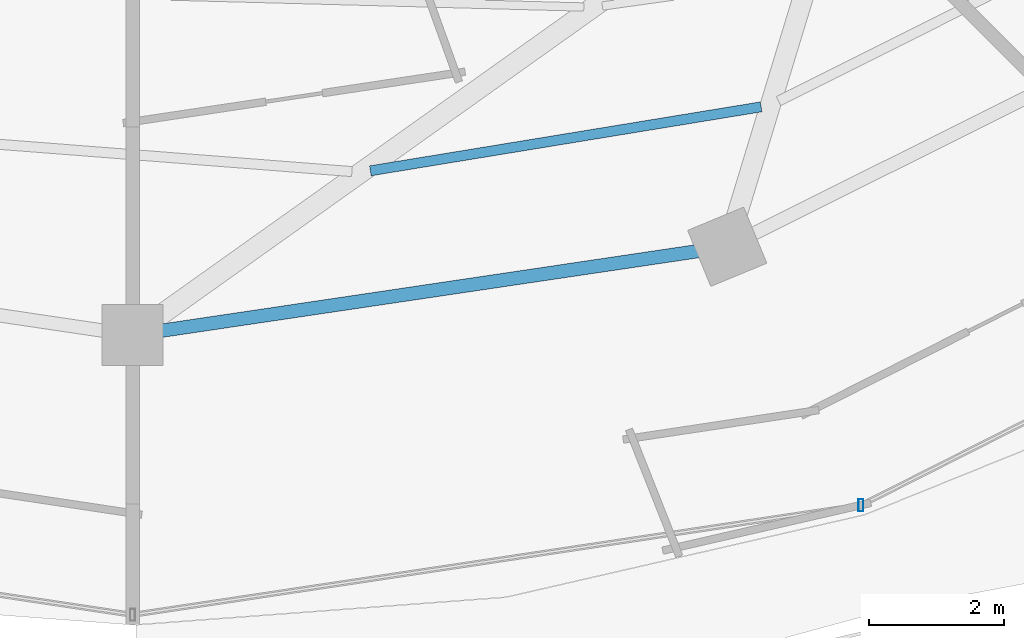
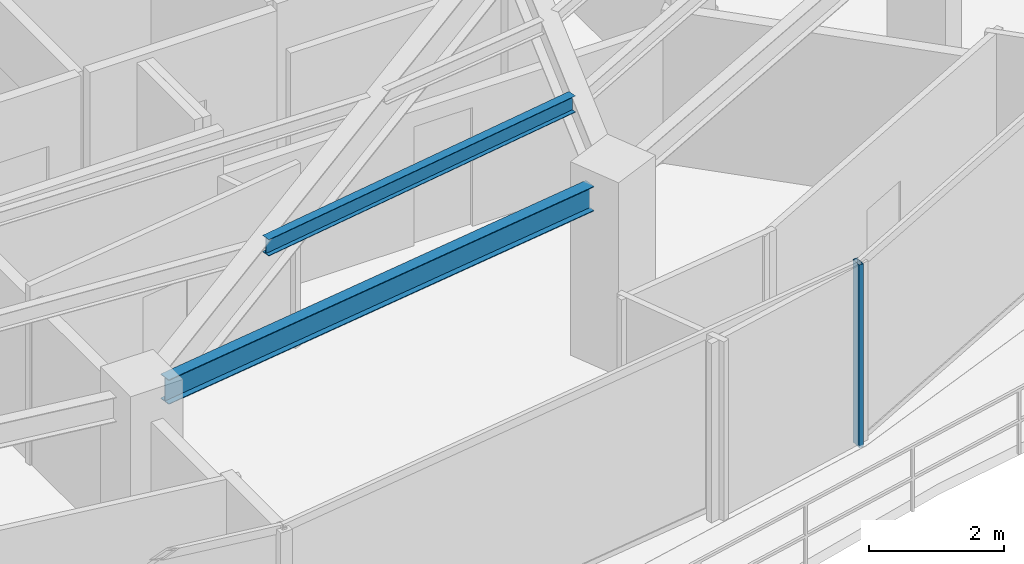
# One storey, part 11 of 31: 2 beams, 1 member, 1 element without a shape of its own.
"""IFC4 building model written with IfcOpenShell, lengths in metres."""

from ifc_helpers import new_model, si_unit, direction, frame, origin, origin_2d, place, context, subcontext, project, spatial, hollow_rectangle, i_section, extrude, material, material_profile, profile_set, type_object, element, aggregate, save


model = new_model("IFC4")

# Units and contexts
model_context = context("Model", 3, precision=1e-05, world=origin(), true_north=direction((0.0, 1.0)))
body_context = subcontext(model_context, "Body", "Model", "MODEL_VIEW")
ifc_project = project(units=[si_unit("LENGTHUNIT", "METRE"), si_unit("AREAUNIT", "SQUARE_METRE"), si_unit("VOLUMEUNIT", "CUBIC_METRE"), si_unit("PLANEANGLEUNIT", "RADIAN"), si_unit("MASSUNIT", "GRAM", prefix="KILO")], contexts=[model_context])

# Site, building, storey
site_placement = place(None, origin())
site = spatial("IfcSite", under=ifc_project, at=site_placement, CompositionType="ELEMENT")
building_placement = place(site_placement, origin())
building = spatial("IfcBuilding", under=site, at=building_placement, Name="Vorneva Point Tower", CompositionType="ELEMENT")
storey_placement = place(building_placement, frame((0.0, 0.0, 193.10009765625)))
storey = spatial("IfcBuildingStorey", under=building, at=storey_placement, Name="L52", CompositionType="ELEMENT", Elevation=193.10009765625)

# Beams
ifc_material_1 = material(Name="Steel S355", Category="steel")
ifc_material_profile_1 = material_profile(ifc_material_1, i_section(OverallWidth=0.14892578125, OverallDepth=0.298095703125, WebThickness=0.005615234375, FlangeThickness=0.008056640625, at=origin_2d()), Name="30B1")
ifc_profile_set_1 = profile_set([ifc_material_profile_1], Name="Steel S355")
beam_type_1 = type_object("IfcBeamType", Name="BM-JST-30B1", PredefinedType="JOIST", material=ifc_profile_set_1)
beam_1_placement = place(storey_placement, frame((41.52783203125, 11.236083984375, 3.0908203125), z_axis=(0.986862894909, 0.161559978498, 0.0), x_axis=(-0.161559978498, 0.986862894909, 0.0)))
element("IfcBeam", 1, at=beam_1_placement, inside=storey, type_object=beam_type_1, Name="L52 Secondary Floor Beam 1.13", PredefinedType="JOIST", context=body_context, shape_type="SweptSolid", body=[
    extrude(i_section(OverallWidth=0.14892578125, OverallDepth=0.298095703125, WebThickness=0.005615234375, FlangeThickness=0.008056640625, at=origin_2d()), origin(), (0.0, 0.0, 1.0), 5.872314453125),
])
ifc_material_profile_2 = material_profile(ifc_material_1, i_section(OverallWidth=0.198974609375, OverallDepth=0.446044921875, WebThickness=0.008056640625, FlangeThickness=0.011962890625, at=origin_2d()), Name="45B1")
ifc_profile_set_2 = profile_set([ifc_material_profile_2], Name="Steel S355")
beam_type_2 = type_object("IfcBeamType", Name="BM-SPN-45B1", PredefinedType="SPANDREL", material=ifc_profile_set_2)
beam_2_placement = place(storey_placement, frame((38.430419921875, 8.864013671875, 3.016845703125), z_axis=(0.989165476332, 0.146804837907, 0.0), x_axis=(-0.146804837907, 0.989165476332, 0.0)))
element("IfcBeam", 2, at=beam_2_placement, inside=storey, type_object=beam_type_2, Name="L52 Perimeter Spandrel Ring Beam 13", PredefinedType="SPANDREL", context=body_context, shape_type="SweptSolid", body=[
    extrude(i_section(OverallWidth=0.198974609375, OverallDepth=0.446044921875, WebThickness=0.008056640625, FlangeThickness=0.011962890625, at=origin_2d()), origin(), (0.0, 0.0, 1.0), 8.04736328125),
])

# Curtain wall, member
ifc_material_2 = material(Name="Pale anodised aluminium", Category="aluminium")
curtain_wall_type = type_object("IfcCurtainWallType", Name="CW-RES-SYS", PredefinedType="NOTDEFINED", material=ifc_material_2)
curtain_wall_placement = place(storey_placement, origin())
curtain_wall = element("IfcCurtainWall", 3, at=curtain_wall_placement, inside=storey, type_object=curtain_wall_type, Name="L52 Unitised Curtain Wall CW-L52-R04", PredefinedType="NOTDEFINED")
ifc_material_profile_3 = material_profile(ifc_material_2, hollow_rectangle(XDim=0.074951171875, YDim=0.179931640625, WallThickness=0.00390625, at=origin_2d()), Name="AL-MUL 180x75x4")
ifc_profile_set_3 = profile_set([ifc_material_profile_3], Name="Pale anodised aluminium")
member_type = type_object("IfcMemberType", Name="CW-MUL-180", PredefinedType="MULLION", material=ifc_profile_set_3)
member_placement = place(storey_placement, frame((48.80322265625, 6.275146484375, -0.0400390625), z_axis=(0.0, 0.0, 1.0), x_axis=(1.0, 0.0, 0.0)))
member = element("IfcMember", 4, at=member_placement, type_object=member_type, Name="CW-L52-R04 Mullion 04", PredefinedType="MULLION", context=body_context, shape_type="SweptSolid", body=[
    extrude(hollow_rectangle(XDim=0.074951171875, YDim=0.179931640625, WallThickness=0.00390625, at=origin_2d()), origin(), (0.0, 0.0, 1.0), 3.31005859375),
])
aggregate(curtain_wall, [member])

save(model, "model.ifc")
